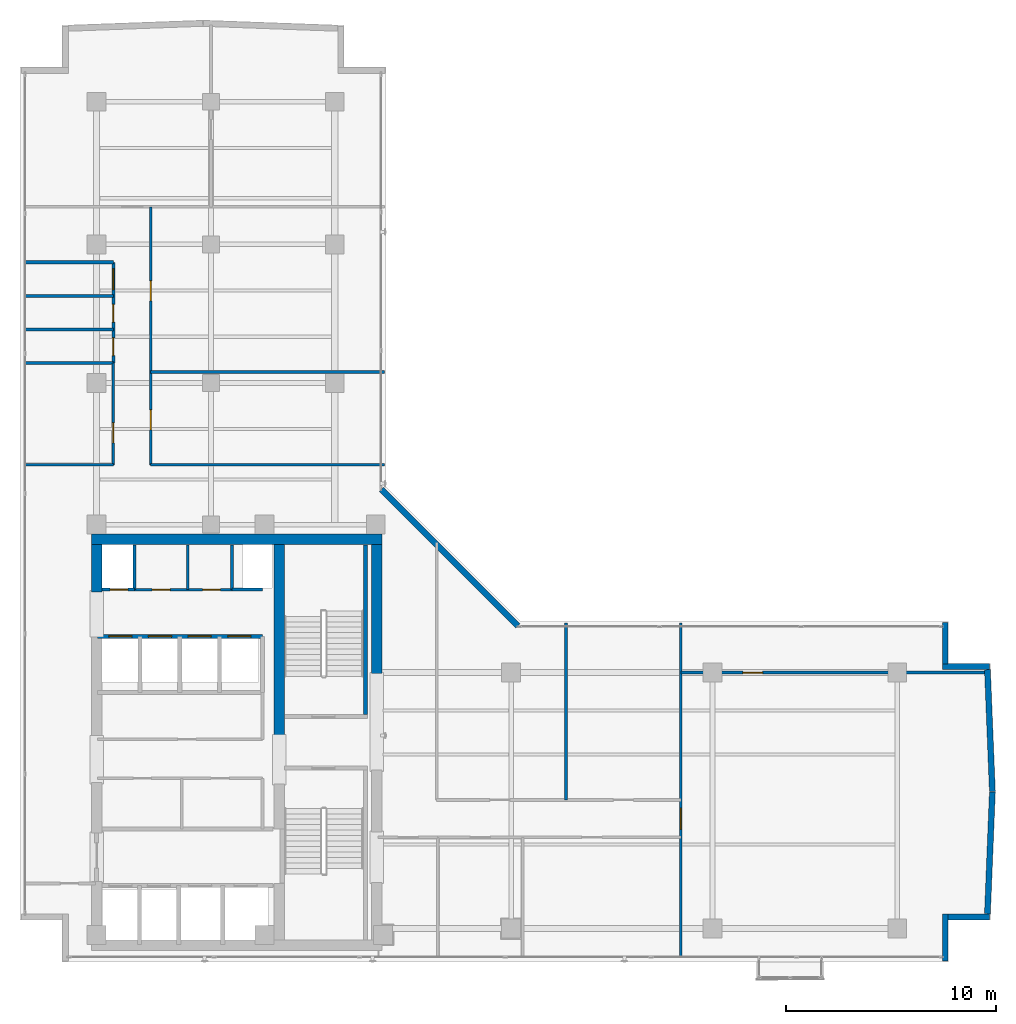
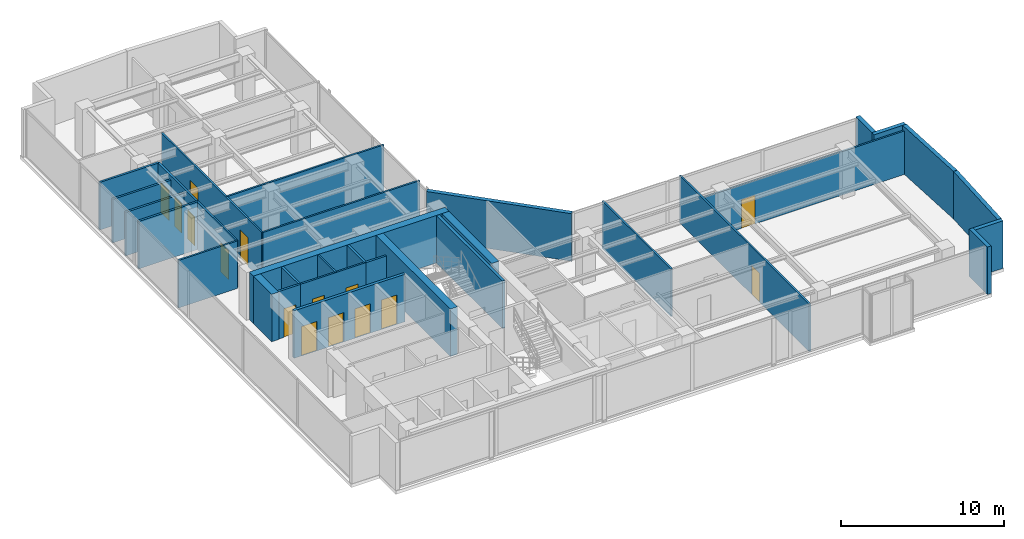
# One storey, part 17 of 23: 32 walls, 15 doors, 15 openings.
"""IFC4 building model written with IfcOpenShell, lengths in metres."""

from ifc_helpers import new_model, si_unit, direction, frame, frame_2d, origin, place, context, subcontext, project, spatial, rectangle, extrude, material, layer, layer_set, type_object, element, fill, save


model = new_model("IFC4")

# Units and contexts
model_context = context("Model", 3, precision=1e-05, world=origin(), true_north=direction((0.0, 1.0)))
body_context = subcontext(model_context, "Body", "Model", "MODEL_VIEW")
ifc_project = project(units=[si_unit("LENGTHUNIT", "METRE"), si_unit("AREAUNIT", "SQUARE_METRE"), si_unit("VOLUMEUNIT", "CUBIC_METRE"), si_unit("PLANEANGLEUNIT", "RADIAN"), si_unit("MASSUNIT", "GRAM", prefix="KILO")], contexts=[model_context])

# Site, building, storey
site_placement = place(None, origin())
site = spatial("IfcSite", under=ifc_project, at=site_placement, CompositionType="ELEMENT")
building_placement = place(site_placement, origin())
building = spatial("IfcBuilding", under=site, at=building_placement, Name="Kolvaren Waterfront Exchange", CompositionType="ELEMENT")
storey_placement = place(building_placement, frame((0.0, 0.0, 319.800048828125)))
storey = spatial("IfcBuildingStorey", under=building, at=storey_placement, Name="L82", CompositionType="ELEMENT", Elevation=319.800048828125)

# Walls
ifc_material_1 = material(Name="Precast concrete C40/50", Category="concrete")
ifc_layer_1 = layer(ifc_material_1, 0.280029296875, Name="Precast concrete C40/50")
ifc_layer_set_1 = layer_set([ifc_layer_1], Name="Precast concrete C40/50")
wall_type_1 = type_object("IfcWallType", Name="ARC-EXT-TERR-280", PredefinedType="SOLIDWALL", material=ifc_layer_set_1)
wall_1_placement = place(storey_placement, frame((47.887451171875, 3.659912109375, 0.0), z_axis=(0.0, 0.0, 1.0), x_axis=(0.0, 1.0, 0.0)))
element("IfcWall", 1, at=wall_1_placement, inside=storey, type_object=wall_type_1, Name="L82 notched corner spandrel pier SE-A", PredefinedType="SOLIDWALL", context=body_context, shape_type="SweptSolid", body=[
    extrude(rectangle(XDim=2.239990234375, YDim=0.280029296875, at=frame_2d((1.1201171875, 0.0))), origin(), (0.0, 0.0, 1.0), 3.56005859375),
])
wall_2_placement = place(storey_placement, frame((48.02734375, 5.760009765625, 0.0), z_axis=(0.0, 0.0, 1.0), x_axis=(1.0, 0.0, 0.0)))
element("IfcWall", 2, at=wall_2_placement, inside=storey, type_object=wall_type_1, Name="L82 notched corner spandrel pier SE-B", PredefinedType="SOLIDWALL", context=body_context, shape_type="SweptSolid", body=[
    extrude(rectangle(XDim=1.9599609375, YDim=0.280029296875, at=frame_2d((0.97998046875, 0.0))), origin(), (0.0, 0.0, 1.0), 3.56005859375),
])
wall_3_placement = place(storey_placement, frame((47.887451171875, 17.80712890625, 0.0), z_axis=(0.0, 0.0, 1.0), x_axis=(0.0, 1.0, 0.0)))
element("IfcWall", 3, at=wall_3_placement, inside=storey, type_object=wall_type_1, Name="L82 notched corner spandrel pier ENE-A", PredefinedType="SOLIDWALL", context=body_context, shape_type="SweptSolid", body=[
    extrude(rectangle(XDim=1.974853515625, YDim=0.280029296875, at=frame_2d((0.9873046875, 0.0))), origin(), (0.0, 0.0, 1.0), 3.56005859375),
])
wall_4_placement = place(storey_placement, frame((47.747314453125, 17.68212890625, 0.0), z_axis=(0.0, 0.0, 1.0), x_axis=(1.0, 0.0, 0.0)))
element("IfcWall", 4, at=wall_4_placement, inside=storey, type_object=wall_type_1, Name="L82 notched corner spandrel pier ENE-B", PredefinedType="SOLIDWALL", context=body_context, shape_type="SweptSolid", body=[
    extrude(rectangle(XDim=2.239990234375, YDim=0.280029296875, at=frame_2d((1.1201171875, 0.0))), origin(), (0.0, 0.0, 1.0), 3.56005859375),
])
wall_5_placement = place(storey_placement, frame((27.527099609375, 19.6171875, 0.0), z_axis=(0.0, 0.0, 1.0), x_axis=(-0.707106781187, 0.707106781187, 0.0)))
element("IfcWall", 5, at=wall_5_placement, inside=storey, type_object=wall_type_1, Name="L82 notched corner spandrel pier ELBOW", PredefinedType="SOLIDWALL", context=body_context, shape_type="SweptSolid", body=[
    extrude(rectangle(XDim=9.20654296875, YDim=0.280029296875, at=frame_2d((4.603271484375, 0.0))), origin(), (0.0, 0.0, 1.0), 3.56005859375),
])
for number, where, z_axis, x_axis, name in (
    (6, (49.899658203125, 5.90625, 0.0), (0.0, 0.0, 1.0), (0.040367708786, 0.999184891843, 0.0), "L82 east prow faceted facade wall 1"),
    (7, (50.134033203125, 11.734619140625, 0.0), (0.0, 0.0, 1.0), (-0.040367708786, 0.999184891843, 0.0), "L82 east prow faceted facade wall 2"),
):
    element("IfcWall", number, at=place(storey_placement, frame(where, z_axis=z_axis, x_axis=x_axis)), inside=storey, type_object=wall_type_1, Name=name, PredefinedType="SOLIDWALL", context=body_context, shape_type="SweptSolid", body=[
        extrude(rectangle(XDim=5.805908203125, YDim=0.280029296875, at=frame_2d((2.90283203125, 0.0))), origin(), (0.0, 0.0, 1.0), 3.56005859375),
    ])

# Wall, openings, doors
ifc_material_2 = material(Name="Acoustic gypsum steel stud", Category="steel")
ifc_layer_2 = layer(ifc_material_2, 0.125, Name="Acoustic gypsum steel stud")
ifc_layer_set_2 = layer_set([ifc_layer_2], Name="Acoustic gypsum steel stud")
wall_type_2 = type_object("IfcWallType", Name="ARC-PART-125", PredefinedType="PARTITIONING", material=ifc_layer_set_2)
wall_6_placement = place(storey_placement, frame((9.25, 21.35009765625, 0.0), z_axis=(0.0, 0.0, 1.0), x_axis=(1.0, 0.0, 0.0)))
wall_6 = element("IfcWall", 8, at=wall_6_placement, inside=storey, type_object=wall_type_2, Name="L82 interior wall PW-L82-SVC-HI-S", PredefinedType="PARTITIONING", context=body_context, shape_type="SweptSolid", body=[
    extrude(rectangle(XDim=4.64990234375, YDim=0.125, at=frame_2d((2.324951171875, 0.0))), origin(), (0.0, 0.0, 1.0), 3.56005859375),
])
opening_1_placement = place(wall_6_placement, frame((0.85009765625, 0.0, 0.0)))
opening_1 = element("IfcOpeningElement", 9, at=opening_1_placement, cuts=wall_6, Name="Opening D01", PredefinedType="OPENING", context=body_context, shape_type="SweptSolid", body=[
    extrude(rectangle(XDim=0.85009765625, YDim=2.14990234375, at=frame_2d((0.425048828125, 1.074951171875))), frame((0.0, 0.072509765625, 0.0), z_axis=(0.0, -1.0, 0.0), x_axis=(1.0, 0.0, 0.0)), (0.0, 0.0, 1.0), 0.14501953125),
])
opening_2_placement = place(wall_6_placement, frame((3.25, 0.0, 0.0)))
opening_2 = element("IfcOpeningElement", 10, at=opening_2_placement, cuts=wall_6, Name="Opening D01", PredefinedType="OPENING", context=body_context, shape_type="SweptSolid", body=[
    extrude(rectangle(XDim=0.85009765625, YDim=2.14990234375, at=frame_2d((0.425048828125, 1.074951171875))), frame((0.0, 0.072509765625, 0.0), z_axis=(0.0, -1.0, 0.0), x_axis=(1.0, 0.0, 0.0)), (0.0, 0.0, 1.0), 0.14501953125),
])
ifc_material_3 = material(Name="Oak veneer timber leaf", Category="wood")
door_type_1 = type_object("IfcDoorType", Name="ARC-DR-900", OperationType="NOTDEFINED", PredefinedType="DOOR", material=ifc_material_3)
door_1_placement = place(opening_1_placement, origin())
door_1 = element("IfcDoor", 11, at=door_1_placement, inside=storey, type_object=door_type_1, Name="L82 door DR-L82-SVC-DR-1 (D01)", OperationType="SINGLE_SWING_RIGHT", OverallHeight=2.14990234375, OverallWidth=0.85009765625, PredefinedType="DOOR", context=body_context, shape_type="SweptSolid", body=[
    extrude(rectangle(XDim=0.85009765625, YDim=2.14990234375, at=frame_2d((0.425048828125, 1.074951171875))), frame((0.0, 0.02490234375, 0.0), z_axis=(0.0, -1.0, 0.0), x_axis=(1.0, 0.0, 0.0)), (0.0, 0.0, 1.0), 0.050048828125),
])
fill(opening_1, door_1)
door_2_placement = place(opening_2_placement, origin())
door_2 = element("IfcDoor", 12, at=door_2_placement, inside=storey, type_object=door_type_1, Name="L82 door DR-L82-SVC-DR-2 (D01)", OperationType="SINGLE_SWING_LEFT", OverallHeight=2.14990234375, OverallWidth=0.85009765625, PredefinedType="DOOR", context=body_context, shape_type="SweptSolid", body=[
    extrude(rectangle(XDim=0.85009765625, YDim=2.14990234375, at=frame_2d((0.425048828125, 1.074951171875))), frame((0.0, 0.02490234375, 0.0), z_axis=(0.0, -1.0, 0.0), x_axis=(1.0, 0.0, 0.0)), (0.0, 0.0, 1.0), 0.050048828125),
])
fill(opening_2, door_2)

# Wall
wall_7_placement = place(storey_placement, frame((11.800048828125, 21.35009765625, 0.0), z_axis=(0.0, 0.0, 1.0), x_axis=(0.0, 1.0, 0.0)))
element("IfcWall", 13, at=wall_7_placement, inside=storey, type_object=wall_type_2, Name="L82 interior wall PW-L82-SVC-HI-M", PredefinedType="PARTITIONING", context=body_context, shape_type="SweptSolid", body=[
    extrude(rectangle(XDim=2.1298828125, YDim=0.125, at=frame_2d((1.06494140625, 0.0))), origin(), (0.0, 0.0, 1.0), 3.56005859375),
])

# Wall, opening, door
wall_8_placement = place(storey_placement, frame((8.25, 27.300048828125, 0.0), z_axis=(0.0, 0.0, 1.0), x_axis=(0.0, 1.0, 0.0)))
wall_8 = element("IfcWall", 14, at=wall_8_placement, inside=storey, type_object=wall_type_2, Name="L82 interior wall PW-L82-PREWC-E", PredefinedType="PARTITIONING", context=body_context, shape_type="SweptSolid", body=[
    extrude(rectangle(XDim=4.849853515625, YDim=0.125, at=frame_2d((2.4248046875, 0.0))), origin(), (0.0, 0.0, 1.0), 3.56005859375),
])
opening_3_placement = place(wall_8_placement, frame((1.050048828125, 0.0, 0.0)))
opening_3 = element("IfcOpeningElement", 15, at=opening_3_placement, cuts=wall_8, Name="Opening D02", PredefinedType="OPENING", context=body_context, shape_type="SweptSolid", body=[
    extrude(rectangle(XDim=0.949951171875, YDim=2.14990234375, at=frame_2d((0.47509765625, 1.074951171875))), frame((0.0, 0.072509765625, 0.0), z_axis=(0.0, -1.0, 0.0), x_axis=(1.0, 0.0, 0.0)), (0.0, 0.0, 1.0), 0.14501953125),
])
ifc_material_4 = material(Name="Oak veneer acoustic timber", Category="wood")
door_type_2 = type_object("IfcDoorType", Name="ARC-DR-950", OperationType="NOTDEFINED", PredefinedType="DOOR", material=ifc_material_4)
door_3_placement = place(opening_3_placement, origin())
door_3 = element("IfcDoor", 16, at=door_3_placement, inside=storey, type_object=door_type_2, Name="L82 door DR-L82-PREWC-D (D02)", OperationType="SINGLE_SWING_RIGHT", OverallHeight=2.14990234375, OverallWidth=0.949951171875, PredefinedType="DOOR", context=body_context, shape_type="SweptSolid", body=[
    extrude(rectangle(XDim=0.949951171875, YDim=2.14990234375, at=frame_2d((0.47509765625, 1.074951171875))), frame((0.0, 0.02490234375, 0.0), z_axis=(0.0, -1.0, 0.0), x_axis=(1.0, 0.0, 0.0)), (0.0, 0.0, 1.0), 0.050048828125),
])
fill(opening_3, door_3)

# Wall
wall_9_placement = place(storey_placement, frame((4.0400390625, 27.300048828125, 0.0), z_axis=(0.0, 0.0, 1.0), x_axis=(1.0, 0.0, 0.0)))
element("IfcWall", 17, at=wall_9_placement, inside=storey, type_object=wall_type_2, Name="L82 interior wall PW-L82-PREWC-S", PredefinedType="PARTITIONING", context=body_context, shape_type="SweptSolid", body=[
    extrude(rectangle(XDim=4.2099609375, YDim=0.125, at=frame_2d((2.10498046875, 0.0))), origin(), (0.0, 0.0, 1.0), 3.56005859375),
])

# Wall, opening, door
wall_10_placement = place(storey_placement, frame((35.2900390625, 3.840087890625, 0.0), z_axis=(0.0, 0.0, 1.0), x_axis=(0.0, 1.0, 0.0)))
wall_10 = element("IfcWall", 18, at=wall_10_placement, inside=storey, type_object=wall_type_2, Name="L82 interior wall PW-L82-ETIP-W", PredefinedType="PARTITIONING", context=body_context, shape_type="SweptSolid", body=[
    extrude(rectangle(XDim=15.919921875, YDim=0.125, at=frame_2d((7.9599609375, 0.0))), origin(), (0.0, 0.0, 1.0), 3.56005859375),
])
opening_4_placement = place(wall_10_placement, frame((6.10009765625, 0.0, 0.0)))
opening_4 = element("IfcOpeningElement", 19, at=opening_4_placement, cuts=wall_10, Name="Opening D03", PredefinedType="OPENING", context=body_context, shape_type="SweptSolid", body=[
    extrude(rectangle(XDim=1.0, YDim=2.199951171875, at=frame_2d((0.5, 1.10009765625))), frame((0.0, 0.072509765625, 0.0), z_axis=(0.0, -1.0, 0.0), x_axis=(1.0, 0.0, 0.0)), (0.0, 0.0, 1.0), 0.14501953125),
])
ifc_material_5 = material(Name="Oak veneer accessible timber", Category="wood")
door_type_3 = type_object("IfcDoorType", Name="ARC-DR-1000", OperationType="NOTDEFINED", PredefinedType="DOOR", material=ifc_material_5)
door_4_placement = place(opening_4_placement, origin())
door_4 = element("IfcDoor", 20, at=door_4_placement, inside=storey, type_object=door_type_3, Name="L82 door DR-L82-ETIP1-D (D03)", OperationType="SINGLE_SWING_RIGHT", OverallHeight=2.199951171875, OverallWidth=1.0, PredefinedType="DOOR", context=body_context, shape_type="SweptSolid", body=[
    extrude(rectangle(XDim=1.0, YDim=2.199951171875, at=frame_2d((0.5, 1.10009765625))), frame((0.0, 0.02490234375, 0.0), z_axis=(0.0, -1.0, 0.0), x_axis=(1.0, 0.0, 0.0)), (0.0, 0.0, 1.0), 0.050048828125),
])
fill(opening_4, door_4)

wall_11_placement = place(storey_placement, frame((35.2900390625, 17.39990234375, 0.0), z_axis=(0.0, 0.0, 1.0), x_axis=(1.0, 0.0, 0.0)))
wall_11 = element("IfcWall", 21, at=wall_11_placement, inside=storey, type_object=wall_type_2, Name="L82 interior wall PW-L82-ETIP-MID", PredefinedType="PARTITIONING", context=body_context, shape_type="SweptSolid", body=[
    extrude(rectangle(XDim=14.7646484375, YDim=0.125, at=frame_2d((7.38232421875, 0.0))), origin(), (0.0, 0.0, 1.0), 3.260009765625),
])
opening_5_placement = place(wall_11_placement, frame((2.949951171875, 0.0, 0.0)))
opening_5 = element("IfcOpeningElement", 22, at=opening_5_placement, cuts=wall_11, Name="Opening D02", PredefinedType="OPENING", context=body_context, shape_type="SweptSolid", body=[
    extrude(rectangle(XDim=0.949951171875, YDim=2.14990234375, at=frame_2d((0.47509765625, 1.074951171875))), frame((0.0, 0.072509765625, 0.0), z_axis=(0.0, -1.0, 0.0), x_axis=(1.0, 0.0, 0.0)), (0.0, 0.0, 1.0), 0.14501953125),
])
door_5_placement = place(opening_5_placement, origin())
door_5 = element("IfcDoor", 23, at=door_5_placement, inside=storey, type_object=door_type_2, Name="L82 door DR-L82-ETIP2-D (D02)", OperationType="SINGLE_SWING_LEFT", OverallHeight=2.14990234375, OverallWidth=0.949951171875, PredefinedType="DOOR", context=body_context, shape_type="SweptSolid", body=[
    extrude(rectangle(XDim=0.949951171875, YDim=2.14990234375, at=frame_2d((0.47509765625, 1.074951171875))), frame((0.0, 0.02490234375, 0.0), z_axis=(0.0, -1.0, 0.0), x_axis=(1.0, 0.0, 0.0)), (0.0, 0.0, 1.0), 0.050048828125),
])
fill(opening_5, door_5)

# Walls
wall_12_placement = place(storey_placement, frame((29.820068359375, 11.330078125, 0.0), z_axis=(0.0, 0.0, 1.0), x_axis=(0.0, 1.0, 0.0)))
element("IfcWall", 24, at=wall_12_placement, inside=storey, type_object=wall_type_2, Name="L82 interior wall PW-L82-EN-DIV-1", PredefinedType="PARTITIONING", context=body_context, shape_type="SweptSolid", body=[
    extrude(rectangle(XDim=8.429931640625, YDim=0.125, at=frame_2d((4.21484375, 0.0))), origin(), (0.0, 0.0, 1.0), 3.56005859375),
])
wall_13_placement = place(storey_placement, frame((10.030029296875, 27.300048828125, 0.0), z_axis=(0.0, 0.0, 1.0), x_axis=(1.0, 0.0, 0.0)))
element("IfcWall", 25, at=wall_13_placement, inside=storey, type_object=wall_type_2, Name="L82 interior wall PW-L82-NE-S0", PredefinedType="PARTITIONING", context=body_context, shape_type="SweptSolid", body=[
    extrude(rectangle(XDim=11.1298828125, YDim=0.125, at=frame_2d((5.56494140625, 0.0))), origin(), (0.0, 0.0, 1.0), 3.56005859375),
])

# Wall, openings, doors
wall_14_placement = place(storey_placement, frame((10.030029296875, 27.300048828125, 0.0), z_axis=(0.0, 0.0, 1.0), x_axis=(0.0, 1.0, 0.0)))
wall_14 = element("IfcWall", 26, at=wall_14_placement, inside=storey, type_object=wall_type_2, Name="L82 interior wall PW-L82-NE-CORR", PredefinedType="PARTITIONING", context=body_context, shape_type="SweptSolid", body=[
    extrude(rectangle(XDim=12.2900390625, YDim=0.125, at=frame_2d((6.14501953125, 0.0))), origin(), (0.0, 0.0, 1.0), 3.56005859375),
])
opening_6_placement = place(wall_14_placement, frame((1.664794921875, 0.0, 0.0)))
opening_6 = element("IfcOpeningElement", 27, at=opening_6_placement, cuts=wall_14, Name="Opening D02", PredefinedType="OPENING", context=body_context, shape_type="SweptSolid", body=[
    extrude(rectangle(XDim=0.949951171875, YDim=2.14990234375, at=frame_2d((0.47509765625, 1.074951171875))), frame((0.0, 0.072509765625, 0.0), z_axis=(0.0, -1.0, 0.0), x_axis=(1.0, 0.0, 0.0)), (0.0, 0.0, 1.0), 0.14501953125),
])
opening_7_placement = place(wall_14_placement, frame((7.808837890625, 0.0, 0.0)))
opening_7 = element("IfcOpeningElement", 28, at=opening_7_placement, cuts=wall_14, Name="Opening D02", PredefinedType="OPENING", context=body_context, shape_type="SweptSolid", body=[
    extrude(rectangle(XDim=0.949951171875, YDim=2.14990234375, at=frame_2d((0.47509765625, 1.074951171875))), frame((0.0, 0.072509765625, 0.0), z_axis=(0.0, -1.0, 0.0), x_axis=(1.0, 0.0, 0.0)), (0.0, 0.0, 1.0), 0.14501953125),
])
door_6_placement = place(opening_6_placement, origin())
door_6 = element("IfcDoor", 29, at=door_6_placement, inside=storey, type_object=door_type_2, Name="L82 door DR-L82-NE-D-1 (D02)", OperationType="SINGLE_SWING_RIGHT", OverallHeight=2.14990234375, OverallWidth=0.949951171875, PredefinedType="DOOR", context=body_context, shape_type="SweptSolid", body=[
    extrude(rectangle(XDim=0.949951171875, YDim=2.14990234375, at=frame_2d((0.47509765625, 1.074951171875))), frame((0.0, 0.02490234375, 0.0), z_axis=(0.0, -1.0, 0.0), x_axis=(1.0, 0.0, 0.0)), (0.0, 0.0, 1.0), 0.050048828125),
])
fill(opening_6, door_6)
door_7_placement = place(opening_7_placement, origin())
door_7 = element("IfcDoor", 30, at=door_7_placement, inside=storey, type_object=door_type_2, Name="L82 door DR-L82-NE-D-2 (D02)", OperationType="SINGLE_SWING_LEFT", OverallHeight=2.14990234375, OverallWidth=0.949951171875, PredefinedType="DOOR", context=body_context, shape_type="SweptSolid", body=[
    extrude(rectangle(XDim=0.949951171875, YDim=2.14990234375, at=frame_2d((0.47509765625, 1.074951171875))), frame((0.0, 0.02490234375, 0.0), z_axis=(0.0, -1.0, 0.0), x_axis=(1.0, 0.0, 0.0)), (0.0, 0.0, 1.0), 0.050048828125),
])
fill(opening_7, door_7)

# Walls
wall_15_placement = place(storey_placement, frame((10.030029296875, 31.719970703125, 0.0), z_axis=(0.0, 0.0, 1.0), x_axis=(1.0, 0.0, 0.0)))
element("IfcWall", 31, at=wall_15_placement, inside=storey, type_object=wall_type_2, Name="L82 interior wall PW-L82-NE-DIV-1", PredefinedType="PARTITIONING", context=body_context, shape_type="SweptSolid", body=[
    extrude(rectangle(XDim=11.1298828125, YDim=0.125, at=frame_2d((5.56494140625, 0.0))), origin(), (0.0, 0.0, 1.0), 3.56005859375),
])
ifc_material_6 = material(Name="Gypsum fireboard steel stud", Category="steel")
ifc_layer_3 = layer(ifc_material_6, 0.14990234375, Name="Gypsum fireboard steel stud")
ifc_layer_set_3 = layer_set([ifc_layer_3], Name="Gypsum fireboard steel stud")
wall_type_3 = type_object("IfcWallType", Name="ARC-PART-150", PredefinedType="PARTITIONING", material=ifc_layer_set_3)
for number, where, z_axis, x_axis, name in (
    (32, (9.25, 21.35009765625, 0.0), (0.0, 0.0, 1.0), (0.0, 1.0, 0.0), "L82 interior wall PW-L82-SVC-R1"),
    (33, (13.89990234375, 21.35009765625, 0.0), (0.0, 0.0, 1.0), (0.0, 1.0, 0.0), "L82 interior wall PW-L82-SVC-R2"),
):
    element("IfcWall", number, at=place(storey_placement, frame(where, z_axis=z_axis, x_axis=x_axis)), inside=storey, type_object=wall_type_3, Name=name, PredefinedType="PARTITIONING", context=body_context, shape_type="SweptSolid", body=[
        extrude(rectangle(XDim=2.1298828125, YDim=0.14990234375, at=frame_2d((1.06494140625, 0.0))), origin(), (0.0, 0.0, 1.0), 3.56005859375),
    ])

# Wall, opening, door
wall_16_placement = place(storey_placement, frame((7.699951171875, 21.35009765625, 0.0), z_axis=(0.0, 0.0, 1.0), x_axis=(1.0, 0.0, 0.0)))
wall_16 = element("IfcWall", 34, at=wall_16_placement, inside=storey, type_object=wall_type_3, Name="L82 interior wall PW-L82-SVC-RE-S", PredefinedType="PARTITIONING", context=body_context, shape_type="SweptSolid", body=[
    extrude(rectangle(XDim=1.550048828125, YDim=0.14990234375, at=frame_2d((0.77490234375, 0.0))), origin(), (0.0, 0.0, 1.0), 3.56005859375),
])
opening_8_placement = place(wall_16_placement, frame((0.389892578125, 0.0, 0.0)))
opening_8 = element("IfcOpeningElement", 35, at=opening_8_placement, cuts=wall_16, Name="Opening FD1", PredefinedType="OPENING", context=body_context, shape_type="SweptSolid", body=[
    extrude(rectangle(XDim=0.85009765625, YDim=2.14990234375, at=frame_2d((0.425048828125, 1.074951171875))), frame((0.0, 0.0849609375, 0.0), z_axis=(0.0, -1.0, 0.0), x_axis=(1.0, 0.0, 0.0)), (0.0, 0.0, 1.0), 0.169921875),
])
ifc_material_7 = material(Name="Pressed steel fire leaf", Category="steel")
door_type_4 = type_object("IfcDoorType", Name="ARC-FD-900", OperationType="NOTDEFINED", PredefinedType="DOOR", material=ifc_material_7)
door_8_placement = place(opening_8_placement, origin())
door_8 = element("IfcDoor", 36, at=door_8_placement, inside=storey, type_object=door_type_4, Name="L82 door DR-L82-RISER-E-DR (FD1)", OperationType="SINGLE_SWING_LEFT", OverallHeight=2.14990234375, OverallWidth=0.85009765625, PredefinedType="DOOR", context=body_context, shape_type="SweptSolid", body=[
    extrude(rectangle(XDim=0.85009765625, YDim=2.14990234375, at=frame_2d((0.425048828125, 1.074951171875))), frame((0.0, 0.02490234375, 0.0), z_axis=(0.0, -1.0, 0.0), x_axis=(1.0, 0.0, 0.0)), (0.0, 0.0, 1.0), 0.050048828125),
])
fill(opening_8, door_8)

# Walls
wall_17_placement = place(storey_placement, frame((13.89990234375, 21.35009765625, 0.0), z_axis=(0.0, 0.0, 1.0), x_axis=(1.0, 0.0, 0.0)))
element("IfcWall", 37, at=wall_17_placement, inside=storey, type_object=wall_type_3, Name="L82 interior wall PW-L82-SVC-RP-S", PredefinedType="PARTITIONING", context=body_context, shape_type="SweptSolid", body=[
    extrude(rectangle(XDim=1.4501953125, YDim=0.14990234375, at=frame_2d((0.72509765625, 0.0))), origin(), (0.0, 0.0, 1.0), 3.56005859375),
])
ifc_material_8 = material(Name="Moisture-resistant gypsum stud")
ifc_layer_4 = layer(ifc_material_8, 0.14990234375, Name="Moisture-resistant gypsum stud")
ifc_layer_set_4 = layer_set([ifc_layer_4], Name="Moisture-resistant gypsum stud")
wall_type_4 = type_object("IfcWallType", Name="ARC-PLUMB-150", PredefinedType="PLUMBINGWALL", material=ifc_layer_set_4)
wall_18_placement = place(storey_placement, frame((4.0400390625, 32.14990234375, 0.0), z_axis=(0.0, 0.0, 1.0), x_axis=(1.0, 0.0, 0.0)))
element("IfcWall", 38, at=wall_18_placement, inside=storey, type_object=wall_type_4, Name="L82 interior wall PW-L82-WC-0", PredefinedType="PLUMBINGWALL", context=body_context, shape_type="SweptSolid", body=[
    extrude(rectangle(XDim=4.2099609375, YDim=0.14990234375, at=frame_2d((2.10498046875, 0.0))), origin(), (0.0, 0.0, 1.0), 3.56005859375),
])

# Wall, openings, doors
wall_19_placement = place(storey_placement, frame((8.25, 32.14990234375, 0.0), z_axis=(0.0, 0.0, 1.0), x_axis=(0.0, 1.0, 0.0)))
wall_19 = element("IfcWall", 39, at=wall_19_placement, inside=storey, type_object=wall_type_4, Name="L82 interior wall PW-L82-WC-E", PredefinedType="PLUMBINGWALL", context=body_context, shape_type="SweptSolid", body=[
    extrude(rectangle(XDim=4.800048828125, YDim=0.14990234375, at=frame_2d((2.39990234375, 0.0))), origin(), (0.0, 0.0, 1.0), 3.56005859375),
])
opening_9_placement = place(wall_19_placement, frame((0.35009765625, 0.0, 0.0)))
opening_9 = element("IfcOpeningElement", 40, at=opening_9_placement, cuts=wall_19, Name="Opening D01", PredefinedType="OPENING", context=body_context, shape_type="SweptSolid", body=[
    extrude(rectangle(XDim=0.85009765625, YDim=2.14990234375, at=frame_2d((0.425048828125, 1.074951171875))), frame((0.0, 0.0849609375, 0.0), z_axis=(0.0, -1.0, 0.0), x_axis=(1.0, 0.0, 0.0)), (0.0, 0.0, 1.0), 0.169921875),
])
opening_10_placement = place(wall_19_placement, frame((1.949951171875, 0.0, 0.0)))
opening_10 = element("IfcOpeningElement", 41, at=opening_10_placement, cuts=wall_19, Name="Opening D01", PredefinedType="OPENING", context=body_context, shape_type="SweptSolid", body=[
    extrude(rectangle(XDim=0.85009765625, YDim=2.14990234375, at=frame_2d((0.425048828125, 1.074951171875))), frame((0.0, 0.0849609375, 0.0), z_axis=(0.0, -1.0, 0.0), x_axis=(1.0, 0.0, 0.0)), (0.0, 0.0, 1.0), 0.169921875),
])
opening_11_placement = place(wall_19_placement, frame((3.5, 0.0, 0.0)))
opening_11 = element("IfcOpeningElement", 42, at=opening_11_placement, cuts=wall_19, Name="Opening D03", PredefinedType="OPENING", context=body_context, shape_type="SweptSolid", body=[
    extrude(rectangle(XDim=1.0, YDim=2.199951171875, at=frame_2d((0.5, 1.10009765625))), frame((0.0, 0.0849609375, 0.0), z_axis=(0.0, -1.0, 0.0), x_axis=(1.0, 0.0, 0.0)), (0.0, 0.0, 1.0), 0.169921875),
])
door_9_placement = place(opening_11_placement, origin())
door_9 = element("IfcDoor", 43, at=door_9_placement, inside=storey, type_object=door_type_3, Name="L82 door DR-L82-WCA-D (D03)", OperationType="SINGLE_SWING_LEFT", OverallHeight=2.199951171875, OverallWidth=1.0, PredefinedType="DOOR", context=body_context, shape_type="SweptSolid", body=[
    extrude(rectangle(XDim=1.0, YDim=2.199951171875, at=frame_2d((0.5, 1.10009765625))), frame((0.0, 0.02490234375, 0.0), z_axis=(0.0, -1.0, 0.0), x_axis=(1.0, 0.0, 0.0)), (0.0, 0.0, 1.0), 0.050048828125),
])
fill(opening_11, door_9)
door_10_placement = place(opening_9_placement, origin())
door_10 = element("IfcDoor", 44, at=door_10_placement, inside=storey, type_object=door_type_1, Name="L82 door DR-L82-WCM-D (D01)", OperationType="SINGLE_SWING_LEFT", OverallHeight=2.14990234375, OverallWidth=0.85009765625, PredefinedType="DOOR", context=body_context, shape_type="SweptSolid", body=[
    extrude(rectangle(XDim=0.85009765625, YDim=2.14990234375, at=frame_2d((0.425048828125, 1.074951171875))), frame((0.0, 0.02490234375, 0.0), z_axis=(0.0, -1.0, 0.0), x_axis=(1.0, 0.0, 0.0)), (0.0, 0.0, 1.0), 0.050048828125),
])
fill(opening_9, door_10)
door_11_placement = place(opening_10_placement, origin())
door_11 = element("IfcDoor", 45, at=door_11_placement, inside=storey, type_object=door_type_1, Name="L82 door DR-L82-WCF-D (D01)", OperationType="SINGLE_SWING_RIGHT", OverallHeight=2.14990234375, OverallWidth=0.85009765625, PredefinedType="DOOR", context=body_context, shape_type="SweptSolid", body=[
    extrude(rectangle(XDim=0.85009765625, YDim=2.14990234375, at=frame_2d((0.425048828125, 1.074951171875))), frame((0.0, 0.02490234375, 0.0), z_axis=(0.0, -1.0, 0.0), x_axis=(1.0, 0.0, 0.0)), (0.0, 0.0, 1.0), 0.050048828125),
])
fill(opening_10, door_11)

# Walls
for number, where, z_axis, x_axis, name in (
    (46, (4.0400390625, 33.75, 0.0), (0.0, 0.0, 1.0), (1.0, 0.0, 0.0), "L82 interior wall PW-L82-WC-1"),
    (47, (4.0400390625, 35.35009765625, 0.0), (0.0, 0.0, 1.0), (1.0, 0.0, 0.0), "L82 interior wall PW-L82-WC-2"),
):
    element("IfcWall", number, at=place(storey_placement, frame(where, z_axis=z_axis, x_axis=x_axis)), inside=storey, type_object=wall_type_4, Name=name, PredefinedType="PLUMBINGWALL", context=body_context, shape_type="SweptSolid", body=[
        extrude(rectangle(XDim=4.2099609375, YDim=0.14990234375, at=frame_2d((2.10498046875, 0.0))), origin(), (0.0, 0.0, 1.0), 3.260009765625),
    ])
wall_20_placement = place(storey_placement, frame((4.0400390625, 36.949951171875, 0.0), z_axis=(0.0, 0.0, 1.0), x_axis=(1.0, 0.0, 0.0)))
element("IfcWall", 48, at=wall_20_placement, inside=storey, type_object=wall_type_4, Name="L82 interior wall PW-L82-WC-3", PredefinedType="PLUMBINGWALL", context=body_context, shape_type="SweptSolid", body=[
    extrude(rectangle(XDim=4.2099609375, YDim=0.14990234375, at=frame_2d((2.10498046875, 0.0))), origin(), (0.0, 0.0, 1.0), 3.56005859375),
])
ifc_material_9 = material(Name="Concrete C40/50", Category="concrete")
ifc_layer_5 = layer(ifc_material_9, 0.199951171875, Name="Concrete C40/50")
ifc_layer_set_5 = layer_set([ifc_layer_5], Name="Concrete C40/50")
wall_type_5 = type_object("IfcWallType", Name="ARC-SHAFT-200", PredefinedType="PARTITIONING", material=ifc_layer_set_5)
wall_21_placement = place(storey_placement, frame((20.260009765625, 15.39990234375, 0.0), z_axis=(0.0, 0.0, 1.0), x_axis=(0.0, 1.0, 0.0)))
element("IfcWall", 49, at=wall_21_placement, inside=storey, type_object=wall_type_5, Name="L82 structural stairwell wall PW-L82-ST2-E", PredefinedType="SHEAR", context=body_context, shape_type="SweptSolid", body=[
    extrude(rectangle(XDim=8.090087890625, YDim=0.199951171875, at=frame_2d((4.044921875, 0.0))), origin(), (0.0, 0.0, 1.0), 3.56005859375),
])

# Wall, openings, doors
wall_22_placement = place(storey_placement, frame((7.5, 19.1201171875, 0.0), z_axis=(0.0, 0.0, 1.0), x_axis=(1.0, 0.0, 0.0)))
wall_22 = element("IfcWall", 50, at=wall_22_placement, inside=storey, type_object=wall_type_5, Name="L82 interior wall PW-L82-PH-N", PredefinedType="PARTITIONING", context=body_context, shape_type="SweptSolid", body=[
    extrude(rectangle(XDim=7.85009765625, YDim=0.199951171875, at=frame_2d((3.925048828125, 0.0))), origin(), (0.0, 0.0, 1.0), 3.56005859375),
])
opening_12_placement = place(wall_22_placement, frame((0.530029296875, 0.0, 0.0)))
opening_12 = element("IfcOpeningElement", 51, at=opening_12_placement, cuts=wall_22, Name="Opening LD2", PredefinedType="OPENING", context=body_context, shape_type="SweptSolid", body=[
    extrude(rectangle(XDim=1.10009765625, YDim=2.199951171875, at=frame_2d((0.550048828125, 1.10009765625))), frame((0.0, 0.10986328125, 0.0), z_axis=(0.0, -1.0, 0.0), x_axis=(1.0, 0.0, 0.0)), (0.0, 0.0, 1.0), 0.219970703125),
])
opening_13_placement = place(wall_22_placement, frame((2.419921875, 0.0, 0.0)))
opening_13 = element("IfcOpeningElement", 52, at=opening_13_placement, cuts=wall_22, Name="Opening LD2", PredefinedType="OPENING", context=body_context, shape_type="SweptSolid", body=[
    extrude(rectangle(XDim=1.10009765625, YDim=2.199951171875, at=frame_2d((0.550048828125, 1.10009765625))), frame((0.0, 0.10986328125, 0.0), z_axis=(0.0, -1.0, 0.0), x_axis=(1.0, 0.0, 0.0)), (0.0, 0.0, 1.0), 0.219970703125),
])
opening_14_placement = place(wall_22_placement, frame((4.31005859375, 0.0, 0.0)))
opening_14 = element("IfcOpeningElement", 53, at=opening_14_placement, cuts=wall_22, Name="Opening LD2", PredefinedType="OPENING", context=body_context, shape_type="SweptSolid", body=[
    extrude(rectangle(XDim=1.10009765625, YDim=2.199951171875, at=frame_2d((0.550048828125, 1.10009765625))), frame((0.0, 0.10986328125, 0.0), z_axis=(0.0, -1.0, 0.0), x_axis=(1.0, 0.0, 0.0)), (0.0, 0.0, 1.0), 0.219970703125),
])
opening_15_placement = place(wall_22_placement, frame((6.199951171875, 0.0, 0.0)))
opening_15 = element("IfcOpeningElement", 54, at=opening_15_placement, cuts=wall_22, Name="Opening LD2", PredefinedType="OPENING", context=body_context, shape_type="SweptSolid", body=[
    extrude(rectangle(XDim=1.10009765625, YDim=2.199951171875, at=frame_2d((0.550048828125, 1.10009765625))), frame((0.0, 0.10986328125, 0.0), z_axis=(0.0, -1.0, 0.0), x_axis=(1.0, 0.0, 0.0)), (0.0, 0.0, 1.0), 0.219970703125),
])
ifc_material_10 = material(Name="Brushed bronze sliding landing door", Category="aluminium")
door_type_5 = type_object("IfcDoorType", Name="ARC-LD-PAX", OperationType="SLIDING_TO_LEFT", PredefinedType="DOOR", material=ifc_material_10)
door_12_placement = place(opening_12_placement, origin())
door_12 = element("IfcDoor", 55, at=door_12_placement, inside=storey, type_object=door_type_5, Name="L82 door LD-L82-PH1 (LD2)", OperationType="SLIDING_TO_LEFT", OverallHeight=2.199951171875, OverallWidth=1.10009765625, PredefinedType="DOOR", context=body_context, shape_type="SweptSolid", body=[
    extrude(rectangle(XDim=1.10009765625, YDim=2.199951171875, at=frame_2d((0.550048828125, 1.10009765625))), frame((0.0, 0.02490234375, 0.0), z_axis=(0.0, -1.0, 0.0), x_axis=(1.0, 0.0, 0.0)), (0.0, 0.0, 1.0), 0.050048828125),
])
fill(opening_12, door_12)
door_13_placement = place(opening_13_placement, origin())
door_13 = element("IfcDoor", 56, at=door_13_placement, inside=storey, type_object=door_type_5, Name="L82 door LD-L82-PH2 (LD2)", OperationType="SLIDING_TO_LEFT", OverallHeight=2.199951171875, OverallWidth=1.10009765625, PredefinedType="DOOR", context=body_context, shape_type="SweptSolid", body=[
    extrude(rectangle(XDim=1.10009765625, YDim=2.199951171875, at=frame_2d((0.550048828125, 1.10009765625))), frame((0.0, 0.02490234375, 0.0), z_axis=(0.0, -1.0, 0.0), x_axis=(1.0, 0.0, 0.0)), (0.0, 0.0, 1.0), 0.050048828125),
])
fill(opening_13, door_13)
door_14_placement = place(opening_14_placement, origin())
door_14 = element("IfcDoor", 57, at=door_14_placement, inside=storey, type_object=door_type_5, Name="L82 door LD-L82-PH3 (LD2)", OperationType="SLIDING_TO_LEFT", OverallHeight=2.199951171875, OverallWidth=1.10009765625, PredefinedType="DOOR", context=body_context, shape_type="SweptSolid", body=[
    extrude(rectangle(XDim=1.10009765625, YDim=2.199951171875, at=frame_2d((0.550048828125, 1.10009765625))), frame((0.0, 0.02490234375, 0.0), z_axis=(0.0, -1.0, 0.0), x_axis=(1.0, 0.0, 0.0)), (0.0, 0.0, 1.0), 0.050048828125),
])
fill(opening_14, door_14)
door_15_placement = place(opening_15_placement, origin())
door_15 = element("IfcDoor", 58, at=door_15_placement, inside=storey, type_object=door_type_5, Name="L82 door LD-L82-PH4 (LD2)", OperationType="SLIDING_TO_LEFT", OverallHeight=2.199951171875, OverallWidth=1.10009765625, PredefinedType="DOOR", context=body_context, shape_type="SweptSolid", body=[
    extrude(rectangle(XDim=1.10009765625, YDim=2.199951171875, at=frame_2d((0.550048828125, 1.10009765625))), frame((0.0, 0.02490234375, 0.0), z_axis=(0.0, -1.0, 0.0), x_axis=(1.0, 0.0, 0.0)), (0.0, 0.0, 1.0), 0.050048828125),
])
fill(opening_15, door_15)

# Walls
ifc_material_11 = material(Name="Concrete C50/60", Category="concrete")
ifc_layer_6 = layer(ifc_material_11, 0.5, Name="Concrete C50/60")
ifc_layer_set_6 = layer_set([ifc_layer_6], Name="Concrete C50/60")
wall_type_6 = type_object("IfcWallType", Name="STR-CWALL-500", PredefinedType="SHEAR", material=ifc_layer_set_6)
wall_23_placement = place(storey_placement, frame((7.199951171875, 23.75, 0.0), z_axis=(0.0, 0.0, 1.0), x_axis=(1.0, 0.0, 0.0)))
element("IfcWall", 59, at=wall_23_placement, inside=storey, type_object=wall_type_6, Name="L82 rear-core shear wall N", PredefinedType="SHEAR", context=body_context, shape_type="SweptSolid", body=[
    extrude(rectangle(XDim=13.85009765625, YDim=0.5, at=frame_2d((6.925048828125, 0.0))), origin(), (0.0, 0.0, 1.0), 3.56005859375),
])
wall_24_placement = place(storey_placement, frame((7.449951171875, 21.239990234375, 0.0), z_axis=(0.0, 0.0, 1.0), x_axis=(0.0, 1.0, 0.0)))
element("IfcWall", 60, at=wall_24_placement, inside=storey, type_object=wall_type_6, Name="L82 rear-core shear wall W3", PredefinedType="SHEAR", context=body_context, shape_type="SweptSolid", body=[
    extrude(rectangle(XDim=2.260009765625, YDim=0.5, at=frame_2d((1.1298828125, 0.0))), origin(), (0.0, 0.0, 1.0), 3.56005859375),
])
wall_25_placement = place(storey_placement, frame((20.800048828125, 17.35009765625, 0.0), z_axis=(0.0, 0.0, 1.0), x_axis=(0.0, 1.0, 0.0)))
element("IfcWall", 61, at=wall_25_placement, inside=storey, type_object=wall_type_6, Name="L82 rear-core shear wall E3", PredefinedType="SHEAR", context=body_context, shape_type="SweptSolid", body=[
    extrude(rectangle(XDim=6.14990234375, YDim=0.5, at=frame_2d((3.074951171875, 0.0))), origin(), (0.0, 0.0, 1.0), 3.56005859375),
])
wall_26_placement = place(storey_placement, frame((16.14990234375, 14.39990234375, 0.0), z_axis=(0.0, 0.0, 1.0), x_axis=(0.0, 1.0, 0.0)))
element("IfcWall", 62, at=wall_26_placement, inside=storey, type_object=wall_type_6, Name="L82 rear-core shear wall M3", PredefinedType="SHEAR", context=body_context, shape_type="SweptSolid", body=[
    extrude(rectangle(XDim=9.10009765625, YDim=0.5, at=frame_2d((4.550048828125, 0.0))), origin(), (0.0, 0.0, 1.0), 3.56005859375),
])

save(model, "model.ifc")
